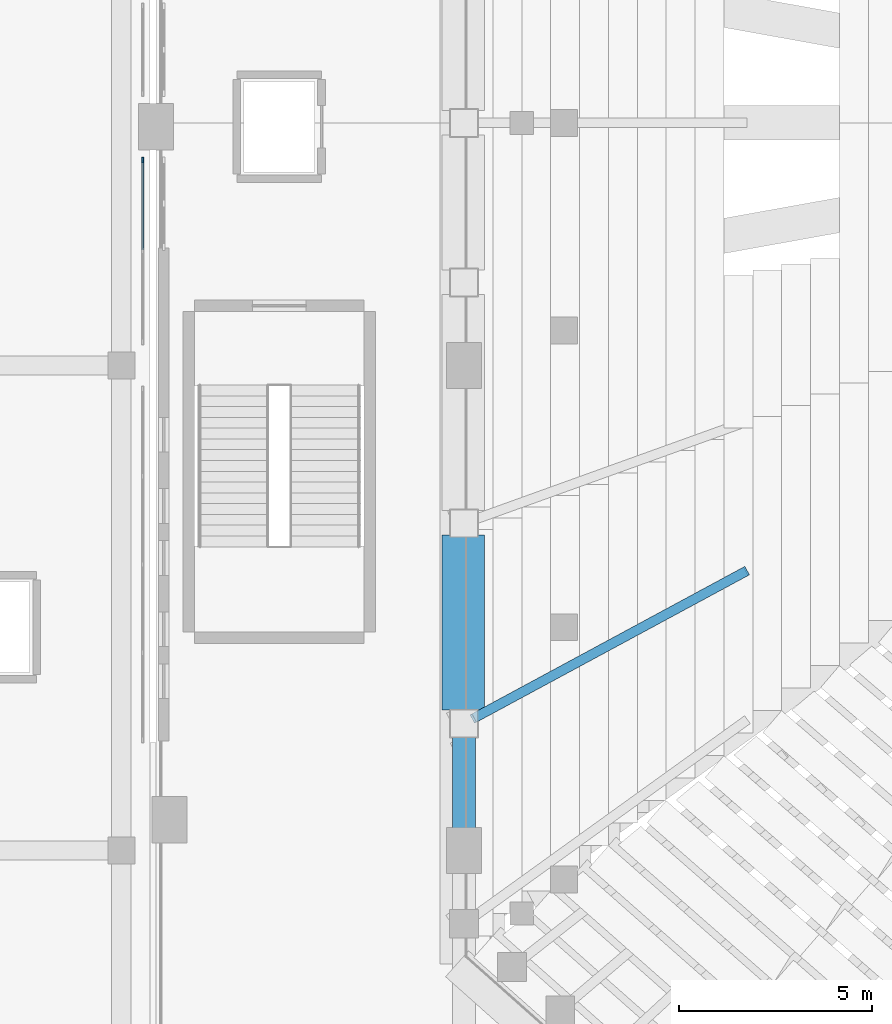
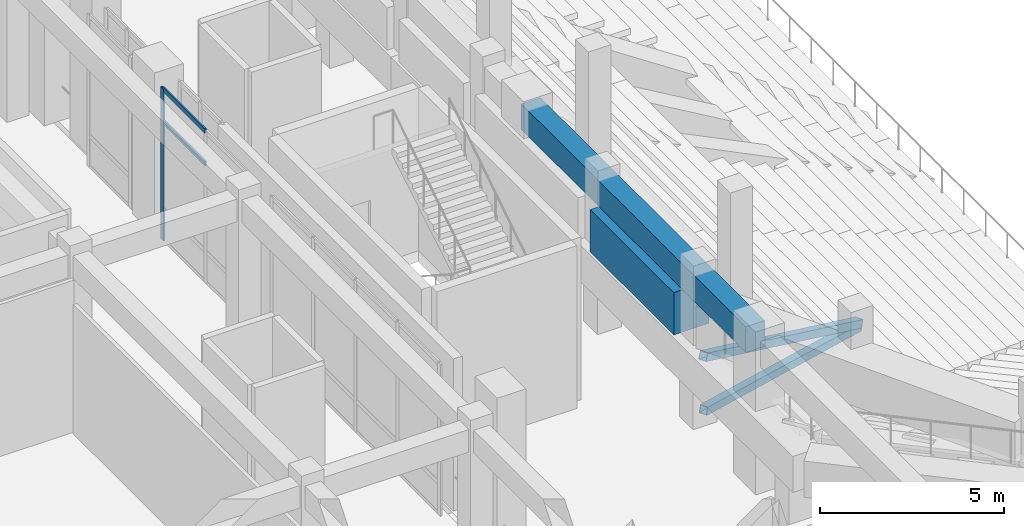
# One storey, part 29 of 159: 5 members, 2 beams, 1 element without a shape of its own.
"""IFC4 building model written with IfcOpenShell, lengths in metres."""

import ifcopenshell
import ifcopenshell.guid

model = None  # the IFC model being written
_history = None  # IfcOwnerHistory: only IFC2X3 demands one
_inside = {}  # id of a spatial element -> (the spatial element, [elements in it])
_under = {}  # id of a project, library or spatial element -> (it, [spatial elements below it])
_declared = {}  # id of a project -> (the project, [libraries it declares])
_typed = {}  # id of a type object -> (the type object, [elements of that type])
_made_of = {}  # id of a material, layer set ... -> (it, [elements and type objects made of it])


def new_model(schema):
    """Start an empty IFC model of exactly this schema.

    Asked for "IFC4X3", IfcOpenShell would pick the latest addendum, in which some entities
    have other attributes; the version numbers below select the first issue.
    IFC2X3 requires an IfcOwnerHistory on every rooted entity: one is made here for all.
    """
    global model, _history
    if schema == "IFC4X3":
        model = ifcopenshell.file(schema_version=(4, 3, 0, 0))
    else:
        model = ifcopenshell.file(schema=schema)
    _inside.clear()
    _under.clear()
    _declared.clear()
    _typed.clear()
    _made_of.clear()
    _history = None
    if model.schema == "IFC2X3":
        org = make("IfcOrganization", Name="unknown")
        user = make(
            "IfcPersonAndOrganization",
            ThePerson=make("IfcPerson", FamilyName="unknown"),
            TheOrganization=org,
        )
        app = make(
            "IfcApplication",
            ApplicationDeveloper=org,
            Version="unknown",
            ApplicationFullName="unknown",
            ApplicationIdentifier="unknown",
        )
        _history = make(
            "IfcOwnerHistory",
            OwningUser=user,
            OwningApplication=app,
            ChangeAction="ADDED",
            CreationDate=0,
        )
    return model


def make(cls, **values):
    """One entity of the class cls with the attributes given. An attribute that is None is left unset."""
    return model.create_entity(
        cls, **{name: value for name, value in values.items() if value is not None}
    )


def rooted(cls, **values):
    """An entity with a GlobalId (a new one), such as an element, a storey or a relation."""
    return make(cls, GlobalId=ifcopenshell.guid.new(), OwnerHistory=_history, **values)


def si_unit(unit_type, name, prefix=None):
    """IfcSIUnit, for example si_unit("LENGTHUNIT", "METRE", prefix="MILLI")."""
    return make("IfcSIUnit", UnitType=unit_type, Prefix=prefix, Name=name)


def derived_unit(unit_type, elements):
    """IfcDerivedUnit: a product of units, each with its exponent."""
    return make(
        "IfcDerivedUnit",
        Elements=[
            make("IfcDerivedUnitElement", Unit=unit, Exponent=power)
            for unit, power in elements
        ],
        UnitType=unit_type,
    )


def assignment(units):
    """IfcUnitAssignment: the units of a project."""
    return None if units is None else make("IfcUnitAssignment", Units=units)


def point(xyz):
    """IfcCartesianPoint."""
    return None if xyz is None else make("IfcCartesianPoint", Coordinates=xyz)


def direction(xyz):
    """IfcDirection."""
    return None if xyz is None else make("IfcDirection", DirectionRatios=xyz)


def frame(location, z_axis=None, x_axis=None):
    """IfcAxis2Placement3D, a coordinate frame: its origin and axes. An axis left out is left unset."""
    return make(
        "IfcAxis2Placement3D",
        Location=point(location),
        Axis=direction(z_axis),
        RefDirection=direction(x_axis),
    )


def frame_2d(location, x_axis=None):
    """IfcAxis2Placement2D, a coordinate frame in the plane: its origin and x axis."""
    return make(
        "IfcAxis2Placement2D", Location=point(location), RefDirection=direction(x_axis)
    )


def origin():
    """The frame at (0, 0, 0) with its axes left unset."""
    return frame((0.0, 0.0, 0.0))


def origin_2d():
    """The frame at (0, 0) in the plane with its x axis left unset."""
    return frame_2d((0.0, 0.0))


def place(relative_to, where):
    """IfcLocalPlacement: puts the frame where relative to a parent placement (None: the world)."""
    return make(
        "IfcLocalPlacement", PlacementRelTo=relative_to, RelativePlacement=where
    )


def context(
    kind, dimensions, precision=None, world=None, true_north=None, identifier=None
):
    """IfcGeometricRepresentationContext, for example the 3D "Model" context."""
    return make(
        "IfcGeometricRepresentationContext",
        ContextIdentifier=identifier,
        ContextType=kind,
        CoordinateSpaceDimension=dimensions,
        Precision=precision,
        WorldCoordinateSystem=world,
        TrueNorth=true_north,
    )


def subcontext(parent, identifier, kind, view, scale=None):
    """IfcGeometricRepresentationSubContext, for example "Body" below "Model"."""
    return make(
        "IfcGeometricRepresentationSubContext",
        ContextIdentifier=identifier,
        ContextType=kind,
        ParentContext=parent,
        TargetScale=scale,
        TargetView=view,
    )


def project(units=None, contexts=None):
    """IfcProject with its units and contexts."""
    return rooted(
        "IfcProject",
        Name="project",
        RepresentationContexts=contexts,
        UnitsInContext=assignment(units),
    )


def spatial(cls, under=None, at=None, **own):
    """A site, building, storey or space (cls), placed at a placement, below another one or the project."""
    s = rooted(cls, ObjectPlacement=at, **own)
    if under is not None:
        _under.setdefault(under.id(), (under, []))[1].append(s)
    return s


def profile(cls, at=None, kind="AREA", **sizes):
    """A parametric profile (cls). Its sizes go by their IFC names, for example OverallWidth=200.0."""
    return make(cls, ProfileType=kind, Position=at, **sizes)


def rectangle(**sizes):
    """IfcRectangleProfileDef."""
    return profile("IfcRectangleProfileDef", **sizes)


def hollow_rectangle(**sizes):
    """IfcRectangleHollowProfileDef."""
    return profile("IfcRectangleHollowProfileDef", **sizes)


def extrude(swept, where, along, depth):
    """IfcExtrudedAreaSolid: the profile swept, set in the frame where, extruded along a direction by depth."""
    return make(
        "IfcExtrudedAreaSolid",
        SweptArea=swept,
        Position=where,
        ExtrudedDirection=direction(along),
        Depth=depth,
    )


def shape(context_of_items, identifier, shape_type, items):
    """IfcShapeRepresentation: the items that make up one representation, for example the "Body"."""
    return make(
        "IfcShapeRepresentation",
        ContextOfItems=context_of_items,
        RepresentationIdentifier=identifier,
        RepresentationType=shape_type,
        Items=items,
    )


def material(Name=None, Category=None):
    """IfcMaterial."""
    return make("IfcMaterial", Name=Name, Category=Category)


def layer(
    of_material, thickness, ventilated=None, Name=None, Category=None, Priority=None
):
    """IfcMaterialLayer: one layer of a wall or slab, of a material (None: an air gap)."""
    return make(
        "IfcMaterialLayer",
        Material=of_material,
        LayerThickness=thickness,
        IsVentilated=ventilated,
        Name=Name,
        Category=Category,
        Priority=Priority,
    )


def layer_set(layers, Name=None):
    """IfcMaterialLayerSet."""
    return make("IfcMaterialLayerSet", MaterialLayers=layers, LayerSetName=Name)


def material_profile(
    of_material, cross_section, Name=None, Category=None, Priority=None
):
    """IfcMaterialProfile: a cross section and its material."""
    return make(
        "IfcMaterialProfile",
        Name=Name,
        Material=of_material,
        Profile=cross_section,
        Priority=Priority,
        Category=Category,
    )


def profile_set(profiles, Name=None, composite=None):
    """IfcMaterialProfileSet."""
    return make(
        "IfcMaterialProfileSet",
        Name=Name,
        MaterialProfiles=profiles,
        CompositeProfile=composite,
    )


def made_of(thing, what):
    """Note that an element or type object is made of a material, layer set ...; save() writes the relation."""
    if what is not None:
        _made_of.setdefault(what.id(), (what, []))[1].append(thing)
    return thing


def type_object(cls, material=None, **own):
    """A type object (cls), such as IfcWallType, which elements share."""
    return made_of(rooted(cls, **own), material)


def element(
    cls,
    number,
    at=None,
    inside=None,
    cuts=None,
    type_object=None,
    material=None,
    context=None,
    identifier="Body",
    shape_type=None,
    held_by="IfcProductDefinitionShape",
    body=None,
    shapes=None,
    **own,
):
    """One element of the class cls, such as IfcWall. Its Tag is "e" and its number.

    at: its placement. inside: the storey or other place that contains it. cuts: it is an
    opening in that element (IfcRelVoidsElement). A single representation is given by context,
    identifier, shape_type and body (its items); several are given by shapes. held_by: the class
    of the entity that holds the representations. save() writes the other relations.
    """
    e = rooted(cls, Tag="e%d" % number, ObjectPlacement=at, **own)
    if body is not None:
        shapes = [shape(context, identifier, shape_type, body)]
    if shapes is not None:
        e.Representation = make(held_by, Representations=shapes)
    if inside is not None:
        _inside.setdefault(inside.id(), (inside, []))[1].append(e)
    if cuts is not None:
        rooted(
            "IfcRelVoidsElement", RelatingBuildingElement=cuts, RelatedOpeningElement=e
        )
    if type_object is not None:
        _typed.setdefault(type_object.id(), (type_object, []))[1].append(e)
    return made_of(e, material)


def aggregate(whole, parts):
    """IfcRelAggregates: a whole, such as a stair, and the parts it consists of."""
    return rooted("IfcRelAggregates", RelatingObject=whole, RelatedObjects=parts)


def save(model, path):
    """Write the relations noted so far, then the file.

    IfcRelAggregates (storeys below a building ...), IfcRelContainedInSpatialStructure (elements
    in a storey), IfcRelDefinesByType, IfcRelAssociatesMaterial and IfcRelDeclares: one each for
    every whole, place, type object, material and project.
    """
    for whole, parts in _under.values():
        aggregate(whole, parts)
    for where, things in _inside.values():
        rooted(
            "IfcRelContainedInSpatialStructure",
            RelatedElements=things,
            RelatingStructure=where,
        )
    for kind, things in _typed.values():
        rooted("IfcRelDefinesByType", RelatedObjects=things, RelatingType=kind)
    for what, things in _made_of.values():
        rooted("IfcRelAssociatesMaterial", RelatedObjects=things, RelatingMaterial=what)
    for by, libraries in _declared.values():
        rooted("IfcRelDeclares", RelatingContext=by, RelatedDefinitions=libraries)
    model.write(path)


model = new_model("IFC4")

# Units and contexts
model_context = context("Model", 3, precision=1e-05, world=origin(), true_north=direction((0.0, 1.0)))
body_context = subcontext(model_context, "Body", "Model", "MODEL_VIEW")
ifc_project = project(units=[si_unit("LENGTHUNIT", "METRE"), si_unit("AREAUNIT", "SQUARE_METRE"), si_unit("VOLUMEUNIT", "CUBIC_METRE"), si_unit("PLANEANGLEUNIT", "RADIAN"), si_unit("MASSUNIT", "GRAM", prefix="KILO"), derived_unit("THERMALTRANSMITTANCEUNIT", [(si_unit("MASSUNIT", "GRAM", prefix="KILO"), 1), (si_unit("TIMEUNIT", "SECOND"), -3), (si_unit("THERMODYNAMICTEMPERATUREUNIT", "KELVIN"), -1)])], contexts=[model_context])

# Site, building, storey
site_placement = place(None, origin())
site = spatial("IfcSite", under=ifc_project, at=site_placement, CompositionType="ELEMENT")
building_placement = place(site_placement, origin())
building = spatial("IfcBuilding", under=site, at=building_placement, Name="Valcora Ridge Arena", CompositionType="ELEMENT")
storey_placement = place(building_placement, frame((0.0, 0.0, 6.0)))
storey = spatial("IfcBuildingStorey", under=building, at=storey_placement, Name="L01", CompositionType="ELEMENT", Elevation=6.0)

# Beams
ifc_material_1 = material(Name="Concrete C40/50", Category="concrete")
ifc_material_profile_1 = material_profile(ifc_material_1, rectangle(XDim=0.60009765625, YDim=0.85009765625, at=origin_2d()), Name="RC 600x850")
ifc_profile_set_1 = profile_set([ifc_material_profile_1], Name="Concrete C40/50")
beam_type_1 = type_object("IfcBeamType", Name="TY-BEAM-B-RC600-Y", PredefinedType="BEAM", material=ifc_profile_set_1)
beam_1_placement = place(storey_placement, frame((24.0, 45.39990234375, 4.614990234375), z_axis=(0.0, 1.0, 0.0), x_axis=(-1.0, 0.0, 0.0)))
element("IfcBeam", 1, at=beam_1_placement, inside=storey, type_object=beam_type_1, Name="B-RC600-Y BEM-B-RC600-Y-0012", PredefinedType="BEAM", context=body_context, shape_type="SweptSolid", body=[
    extrude(rectangle(XDim=0.60009765625, YDim=0.85009765625, at=origin_2d()), origin(), (0.0, 0.0, 1.0), 12.2001953125),
])
ifc_material_2 = material(Name="Concrete C45/55", Category="concrete")
ifc_material_profile_2 = material_profile(ifc_material_2, rectangle(XDim=1.10009765625, YDim=1.39990234375, at=origin_2d()), Name="RC 1100x1400")
ifc_profile_set_2 = profile_set([ifc_material_profile_2], Name="Concrete C45/55")
beam_type_2 = type_object("IfcBeamType", Name="TY-BEAM-RKR-URING-1100", PredefinedType="USERDEFINED", material=ifc_profile_set_2)
beam_2_placement = place(storey_placement, frame((23.983154296875, 53.3974609375, 3.47509765625), z_axis=(0.0, -1.0, 0.0), x_axis=(1.0, 0.0, 0.0)))
element("IfcBeam", 2, at=beam_2_placement, inside=storey, type_object=beam_type_2, Name="RKR-URING-1100 BEM-RU2-RKR-URING-1100-0002", ObjectType="RAKER", PredefinedType="USERDEFINED", context=body_context, shape_type="SweptSolid", body=[
    extrude(rectangle(XDim=1.10009765625, YDim=1.39990234375, at=origin_2d()), origin(), (0.0, 0.0, 1.0), 4.55126953125),
])

# Curtain wall, members
ifc_material_3 = material(Name="Anodised dark bronze architectural aluminium 6063-T6", Category="aluminium")
ifc_layer = layer(ifc_material_3, 0.14990234375, Name="Anodised dark bronze architectural aluminium 6063-T6")
ifc_layer_set = layer_set([ifc_layer], Name="Anodised dark bronze architectural aluminium 6063-T6")
curtain_wall_type = type_object("IfcCurtainWallType", Name="TY-CURTAINWALL-CW-V4-CLUB-048X50", PredefinedType="NOTDEFINED", material=ifc_layer_set)
curtain_wall_placement = place(storey_placement, origin())
curtain_wall = element("IfcCurtainWall", 3, at=curtain_wall_placement, inside=storey, type_object=curtain_wall_type, Name="CW-V4-CLUB-048X50 CW-0231", PredefinedType="NOTDEFINED")
ifc_material_profile_3 = material_profile(ifc_material_3, rectangle(XDim=0.050048828125, YDim=0.14990234375, at=origin_2d()), Name="ALU MULLION 50x150")
ifc_profile_set_3 = profile_set([ifc_material_profile_3], Name="Anodised dark bronze architectural aluminium 6063-T6")
member_type_1 = type_object("IfcMemberType", Name="TY-MEM-CWM-50x150", PredefinedType="MULLION", material=ifc_profile_set_3)
member_1_placement = place(storey_placement, frame((15.64990234375, 63.135009765625, 0.0), z_axis=(0.0, 0.0, 1.0), x_axis=(-1.0, 0.0, 0.0)))
member_1 = element("IfcMember", 4, at=member_1_placement, type_object=member_type_1, Name="CW-0231/CWM-50x150/M02", PredefinedType="MULLION", context=body_context, shape_type="SweptSolid", body=[
    extrude(rectangle(XDim=0.050048828125, YDim=0.14990234375, at=origin_2d()), origin(), (0.0, 0.0, 1.0), 5.0400390625),
])
ifc_material_profile_4 = material_profile(ifc_material_3, rectangle(XDim=0.050048828125, YDim=0.14990234375, at=origin_2d()), Name="ALU TRANSOM 50x150")
ifc_profile_set_4 = profile_set([ifc_material_profile_4], Name="Anodised dark bronze architectural aluminium 6063-T6")
member_type_2 = type_object("IfcMemberType", Name="TY-MEM-CWT-50x150", PredefinedType="USERDEFINED", material=ifc_profile_set_4)
member_2_placement = place(storey_placement, frame((15.64990234375, 60.800048828125, 3.93994140625), z_axis=(0.0, 1.0, 0.0), x_axis=(-1.0, 0.0, 0.0)))
member_2 = element("IfcMember", 5, at=member_2_placement, type_object=member_type_2, Name="CW-0231/CWT-50x150/T01-02", ObjectType="TRANSOM", PredefinedType="USERDEFINED", context=body_context, shape_type="SweptSolid", body=[
    extrude(rectangle(XDim=0.050048828125, YDim=0.14990234375, at=origin_2d()), origin(), (0.0, 0.0, 1.0), 2.31005859375),
])
member_3_placement = place(storey_placement, frame((15.64990234375, 60.800048828125, 5.014892578125), z_axis=(0.0, 1.0, 0.0), x_axis=(-1.0, 0.0, 0.0)))
member_3 = element("IfcMember", 6, at=member_3_placement, type_object=member_type_2, Name="CW-0231/CWT-50x150/T01-03", ObjectType="TRANSOM", PredefinedType="USERDEFINED", context=body_context, shape_type="SweptSolid", body=[
    extrude(rectangle(XDim=0.050048828125, YDim=0.14990234375, at=origin_2d()), origin(), (0.0, 0.0, 1.0), 2.31005859375),
])
aggregate(curtain_wall, [member_1, member_2, member_3])

# Members
ifc_material_4 = material(Name="Steel ASTM A500 Grade C", Category="steel")
ifc_material_profile_5 = material_profile(ifc_material_4, hollow_rectangle(XDim=0.25, YDim=0.25, WallThickness=0.012451171875, at=origin_2d()), Name="HSS250X250X12")
ifc_profile_set_5 = profile_set([ifc_material_profile_5], Name="Steel ASTM A500 Grade C")
member_type_3 = type_object("IfcMemberType", Name="TY-MEMBER-RKRC-253", PredefinedType="CHORD", material=ifc_profile_set_5)
member_4_placement = place(storey_placement, frame((31.294921875, 52.439208984375, -1.842529296875), z_axis=(-0.854357657717, -0.461353135167, 0.239220144161), x_axis=(0.475148914735, -0.879905397657, 0.0)))
element("IfcMember", 7, at=member_4_placement, inside=storey, type_object=member_type_3, Name="RKRC-253 MBR-RK-RKRC-253-0052", PredefinedType="CHORD", context=body_context, shape_type="SweptSolid", body=[
    extrude(hollow_rectangle(XDim=0.25, YDim=0.25, WallThickness=0.012451171875, at=origin_2d()), origin(), (0.0, 0.0, 1.0), 8.258544921875),
])
ifc_material_profile_6 = material_profile(ifc_material_4, hollow_rectangle(XDim=0.25, YDim=0.25, WallThickness=0.012451171875, at=origin_2d()), Name="HSS250X250X12")
ifc_profile_set_6 = profile_set([ifc_material_profile_6], Name="Steel ASTM A500 Grade C")
member_type_4 = type_object("IfcMemberType", Name="TY-MEMBER-RKRD-253", PredefinedType="BRACE", material=ifc_profile_set_6)
member_5_placement = place(storey_placement, frame((31.30810546875, 52.4462890625, -1.75), z_axis=(-0.800137069528, -0.432056369085, 0.416062451924), x_axis=(0.475133888285, -0.879913511774, 0.0)))
element("IfcMember", 8, at=member_5_placement, inside=storey, type_object=member_type_4, Name="RKRD-253 Raker Diagonal Brace", PredefinedType="BRACE", context=body_context, shape_type="SweptSolid", body=[
    extrude(hollow_rectangle(XDim=0.25, YDim=0.25, WallThickness=0.012451171875, at=origin_2d()), origin(), (0.0, 0.0, 1.0), 8.853515625),
])

save(model, "model.ifc")
